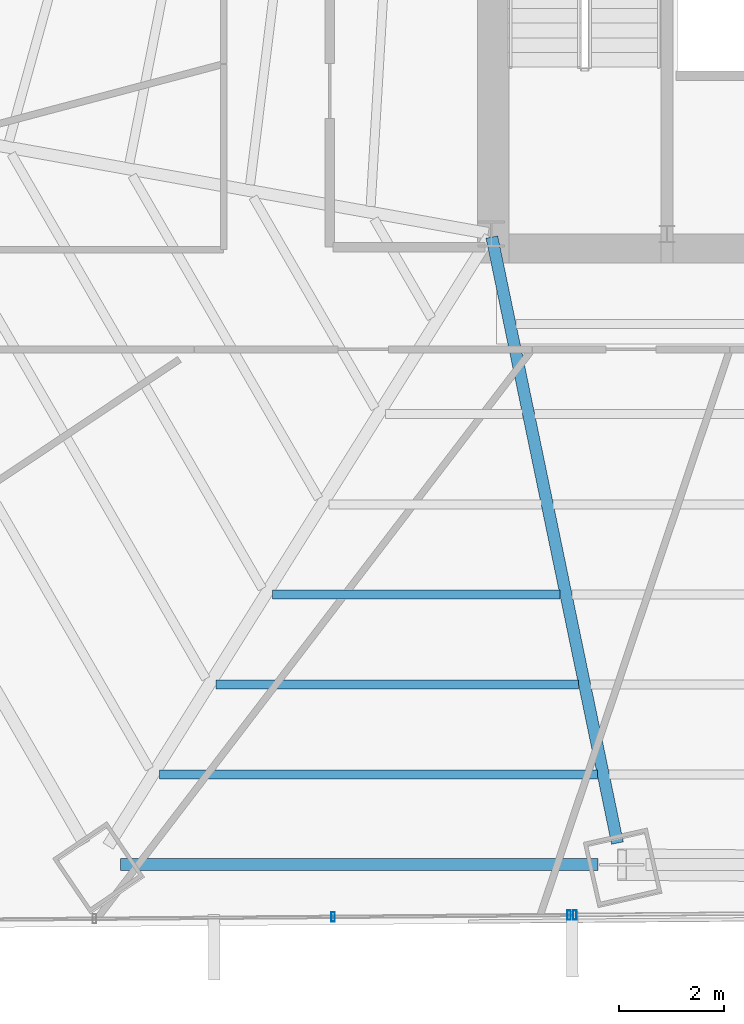
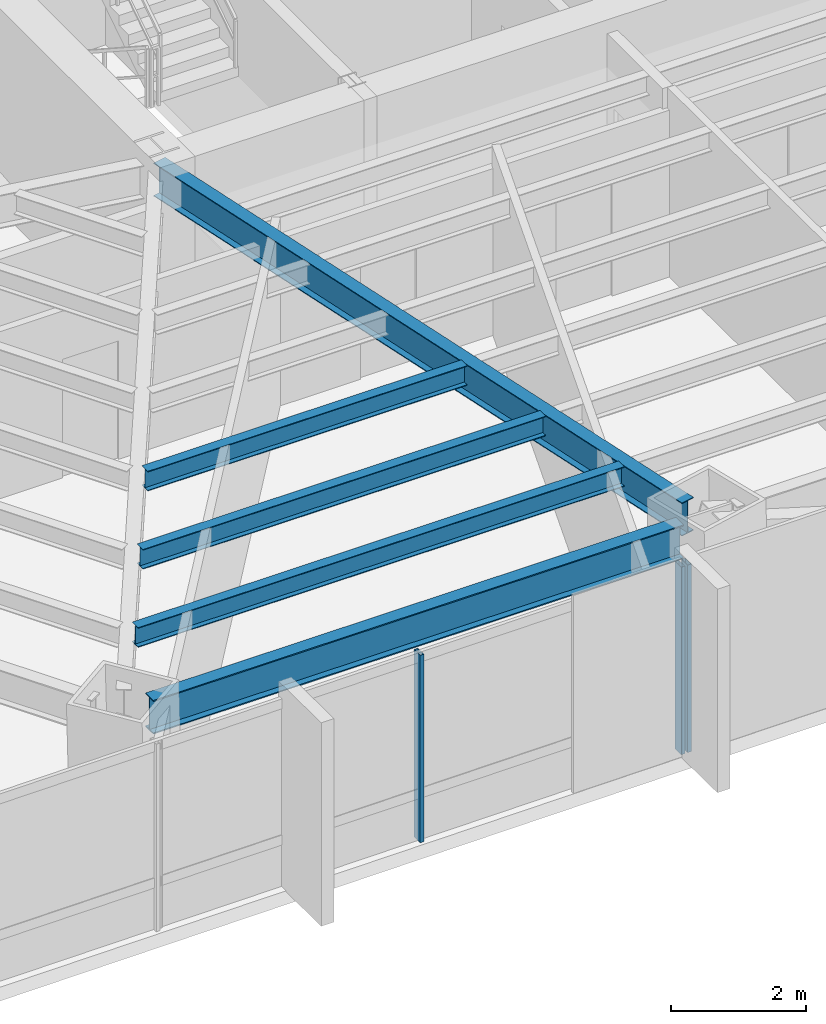
# One storey, part 7 of 35: 5 beams, 3 members, 2 elements without a shape of their own.
"""IFC4 building model written with IfcOpenShell, lengths in metres."""

from ifc_helpers import new_model, si_unit, direction, frame, origin, origin_2d, place, context, subcontext, project, spatial, hollow_rectangle, i_section, extrude, source, transform, mapped, material, material_profile, profile_set, type_object, type_shapes, element, aggregate, save


model = new_model("IFC4")

# Units and contexts
model_context = context("Model", 3, precision=1e-05, world=origin(), true_north=direction((0.0, 1.0)))
body_context = subcontext(model_context, "Body", "Model", "MODEL_VIEW")
ifc_project = project(units=[si_unit("LENGTHUNIT", "METRE"), si_unit("AREAUNIT", "SQUARE_METRE"), si_unit("VOLUMEUNIT", "CUBIC_METRE"), si_unit("PLANEANGLEUNIT", "RADIAN"), si_unit("MASSUNIT", "GRAM", prefix="KILO")], contexts=[model_context])

# Site, building, storey
site_placement = place(None, origin())
site = spatial("IfcSite", under=ifc_project, at=site_placement, CompositionType="ELEMENT")
building_placement = place(site_placement, origin())
building = spatial("IfcBuilding", under=site, at=building_placement, Name="Caelisora Broadcast Tower", CompositionType="ELEMENT")
storey_placement = place(building_placement, frame((0.0, 0.0, 53.14990234375)))
storey = spatial("IfcBuildingStorey", under=building, at=storey_placement, Name="L13", CompositionType="ELEMENT", Elevation=53.14990234375)

# Beams
ifc_material_1 = material(Name="Steel Grade 350 (AS/NZS 3679.1)", Category="steel")
ifc_material_profile_1 = material_profile(ifc_material_1, i_section(OverallWidth=0.22900390625, OverallDepth=0.611572265625, WebThickness=0.011962890625, FlangeThickness=0.01953125, at=origin_2d()), Name="Steel Grade 350 (AS/NZS 3679.1)")
ifc_profile_set_1 = profile_set([ifc_material_profile_1], Name="Steel Grade 350 (AS/NZS 3679.1)")
beam_type_1 = type_object("IfcBeamType", Name="PG03", PredefinedType="BEAM", material=ifc_profile_set_1)
shared_shape_1 = source(origin(), body_context, "Body", "SweptSolid", [
    extrude(i_section(OverallWidth=0.22900390625, OverallDepth=0.611572265625, WebThickness=0.011962890625, FlangeThickness=0.01953125, at=origin_2d()), origin(), (0.0, 0.0, 1.0), 9.09716796875),
])
type_shapes(beam_type_1, [shared_shape_1])
beam_1_placement = place(storey_placement, frame((23.434326171875, 5.37841796875, 3.09423828125), z_axis=(1.0, 0.0, 0.0), x_axis=(0.0, 1.0, 0.0)))
element("IfcBeam", 1, at=beam_1_placement, inside=storey, type_object=beam_type_1, Name="L13 beam PG03", PredefinedType="BEAM", context=body_context, shape_type="MappedRepresentation", body=[
    mapped(shared_shape_1, transform((0.0, 0.0, 0.0), scale=1.0)),
])
ifc_material_profile_2 = material_profile(ifc_material_1, i_section(OverallWidth=0.22802734375, OverallDepth=0.602294921875, WebThickness=0.010498046875, FlangeThickness=0.014892578125, at=origin_2d()), Name="Steel Grade 350 (AS/NZS 3679.1)")
ifc_profile_set_2 = profile_set([ifc_material_profile_2], Name="Steel Grade 350 (AS/NZS 3679.1)")
beam_type_2 = type_object("IfcBeamType", Name="PG04", PredefinedType="BEAM", material=ifc_profile_set_2)
shared_shape_2 = source(origin(), body_context, "Body", "SweptSolid", [
    extrude(i_section(OverallWidth=0.22802734375, OverallDepth=0.602294921875, WebThickness=0.010498046875, FlangeThickness=0.014892578125, at=origin_2d()), origin(), (0.0, 0.0, 1.0), 11.796875),
])
type_shapes(beam_type_2, [shared_shape_2])
beam_2_placement = place(storey_placement, frame((30.51220703125, 17.34130859375, 3.098876953125), z_axis=(0.202936809513, -0.979191835824, 0.0), x_axis=(0.979191835824, 0.202936809513, 0.0)))
element("IfcBeam", 2, at=beam_2_placement, inside=storey, type_object=beam_type_2, Name="L13 beam PG04", PredefinedType="BEAM", context=body_context, shape_type="MappedRepresentation", body=[
    mapped(shared_shape_2, transform((0.0, 0.0, 0.0), scale=1.0)),
])
ifc_material_profile_3 = material_profile(ifc_material_1, i_section(OverallWidth=0.172119140625, OverallDepth=0.358642578125, WebThickness=0.008056640625, FlangeThickness=0.012939453125, at=origin_2d()), Name="Steel Grade 350 (AS/NZS 3679.1)")
ifc_profile_set_3 = profile_set([ifc_material_profile_3], Name="Steel Grade 350 (AS/NZS 3679.1)")
beam_type_3 = type_object("IfcBeamType", Name="SB02", PredefinedType="JOIST", material=ifc_profile_set_3)
shared_shape_3 = source(origin(), body_context, "Body", "SweptSolid", [
    extrude(i_section(OverallWidth=0.172119140625, OverallDepth=0.358642578125, WebThickness=0.008056640625, FlangeThickness=0.012939453125, at=origin_2d()), origin(), (0.0, 0.0, 1.0), 5.47900390625),
])
beam_3_placement = place(storey_placement, frame((26.331298828125, 10.530517578125, 3.220703125), z_axis=(1.0, 0.0, 0.0), x_axis=(0.0, 1.0, 0.0)))
element("IfcBeam", 3, at=beam_3_placement, inside=storey, type_object=beam_type_3, Name="L13 beam SB02", PredefinedType="JOIST", context=body_context, shape_type="MappedRepresentation", body=[
    mapped(shared_shape_3, transform((0.0, 0.0, 0.0), scale=1.0)),
])
shared_shape_4 = source(origin(), body_context, "Body", "SweptSolid", [
    extrude(i_section(OverallWidth=0.172119140625, OverallDepth=0.358642578125, WebThickness=0.008056640625, FlangeThickness=0.012939453125, at=origin_2d()), origin(), (0.0, 0.0, 1.0), 6.91015625),
])
beam_4_placement = place(storey_placement, frame((25.256103515625, 8.81298828125, 3.220703125), z_axis=(1.0, 0.0, 0.0), x_axis=(0.0, 1.0, 0.0)))
element("IfcBeam", 4, at=beam_4_placement, inside=storey, type_object=beam_type_3, Name="L13 beam SB02", PredefinedType="JOIST", context=body_context, shape_type="MappedRepresentation", body=[
    mapped(shared_shape_4, transform((0.0, 0.0, 0.0), scale=1.0)),
])
shared_shape_5 = source(origin(), body_context, "Body", "SweptSolid", [
    extrude(i_section(OverallWidth=0.172119140625, OverallDepth=0.358642578125, WebThickness=0.008056640625, FlangeThickness=0.012939453125, at=origin_2d()), origin(), (0.0, 0.0, 1.0), 8.34130859375),
])
type_shapes(beam_type_3, [shared_shape_3, shared_shape_4, shared_shape_5])
beam_5_placement = place(storey_placement, frame((24.180908203125, 7.095703125, 3.220703125), z_axis=(1.0, 0.0, 0.0), x_axis=(0.0, 1.0, 0.0)))
element("IfcBeam", 5, at=beam_5_placement, inside=storey, type_object=beam_type_3, Name="L13 beam SB02", PredefinedType="JOIST", context=body_context, shape_type="MappedRepresentation", body=[
    mapped(shared_shape_5, transform((0.0, 0.0, 0.0), scale=1.0)),
])

# Curtain wall, member
ifc_material_2 = material(Name="Unitised Aluminium Insulated Shadow-Box Spandrel Curtain Wall", Category="aluminium")
curtain_wall_type_1 = type_object("IfcCurtainWallType", Name="CW-SP1", PredefinedType="NOTDEFINED", material=ifc_material_2)
curtain_wall_1_placement = place(storey_placement, origin())
curtain_wall_1 = element("IfcCurtainWall", 6, at=curtain_wall_1_placement, inside=storey, type_object=curtain_wall_type_1, Name="L13 curtain wall CW-SP1", PredefinedType="NOTDEFINED")
ifc_material_3 = material(Name="Aluminium 6063-T6 Anodised Terracotta Bronze", Category="aluminium")
ifc_material_profile_4 = material_profile(ifc_material_3, hollow_rectangle(XDim=0.06494140625, YDim=0.179931640625, WallThickness=0.00341796875, at=origin_2d()), Name="Aluminium 6063-T6 Anodised Terracotta Bronze")
ifc_profile_set_4 = profile_set([ifc_material_profile_4], Name="Aluminium 6063-T6 Anodised Terracotta Bronze")
member_type = type_object("IfcMemberType", Name="CWM-02", PredefinedType="MULLION", material=ifc_profile_set_4)
shared_shape_6 = source(origin(), body_context, "Body", "SweptSolid", [
    extrude(hollow_rectangle(XDim=0.06494140625, YDim=0.179931640625, WallThickness=0.00341796875, at=origin_2d()), origin(), (0.0, 0.0, 1.0), 3.400146484375),
])
type_shapes(member_type, [shared_shape_6])
member_1_placement = place(storey_placement, frame((32.0947265625, 4.42041015625, 0.0), z_axis=(0.0, 0.0, 1.0), x_axis=(1.0, 0.0, 0.0)))
member_1 = element("IfcMember", 7, at=member_1_placement, type_object=member_type, Name="L13-CW-B06 mullion #3", PredefinedType="MULLION", context=body_context, shape_type="MappedRepresentation", body=[
    mapped(shared_shape_6, transform((0.0, 0.0, 0.0), scale=1.0)),
])
aggregate(curtain_wall_1, [member_1])

# Curtain wall, members
ifc_material_4 = material(Name="Unitised Aluminium and Low-E Glass Curtain Wall", Category="glass")
curtain_wall_type_2 = type_object("IfcCurtainWallType", Name="CW-Z1", PredefinedType="NOTDEFINED", material=ifc_material_4)
curtain_wall_2_placement = place(storey_placement, origin())
curtain_wall_2 = element("IfcCurtainWall", 8, at=curtain_wall_2_placement, inside=storey, type_object=curtain_wall_type_2, Name="L13 curtain wall CW-Z1", PredefinedType="NOTDEFINED")
member_2_placement = place(storey_placement, frame((31.98486328125, 4.41943359375, 0.0), z_axis=(0.0, 0.0, 1.0), x_axis=(1.0, 0.0, 0.0)))
member_2 = element("IfcMember", 9, at=member_2_placement, type_object=member_type, Name="L13-CW-B07 mullion #0", PredefinedType="MULLION", context=body_context, shape_type="MappedRepresentation", body=[
    mapped(shared_shape_6, transform((0.0, 0.0, 0.0), scale=1.0)),
])
member_3_placement = place(storey_placement, frame((27.486083984375, 4.3837890625, 0.0), z_axis=(0.0, 0.0, 1.0), x_axis=(1.0, 0.0, 0.0)))
member_3 = element("IfcMember", 10, at=member_3_placement, type_object=member_type, Name="L13-CW-B07 mullion #1", PredefinedType="MULLION", context=body_context, shape_type="MappedRepresentation", body=[
    mapped(shared_shape_6, transform((0.0, 0.0, 0.0), scale=1.0)),
])
aggregate(curtain_wall_2, [member_2, member_3])

save(model, "model.ifc")
